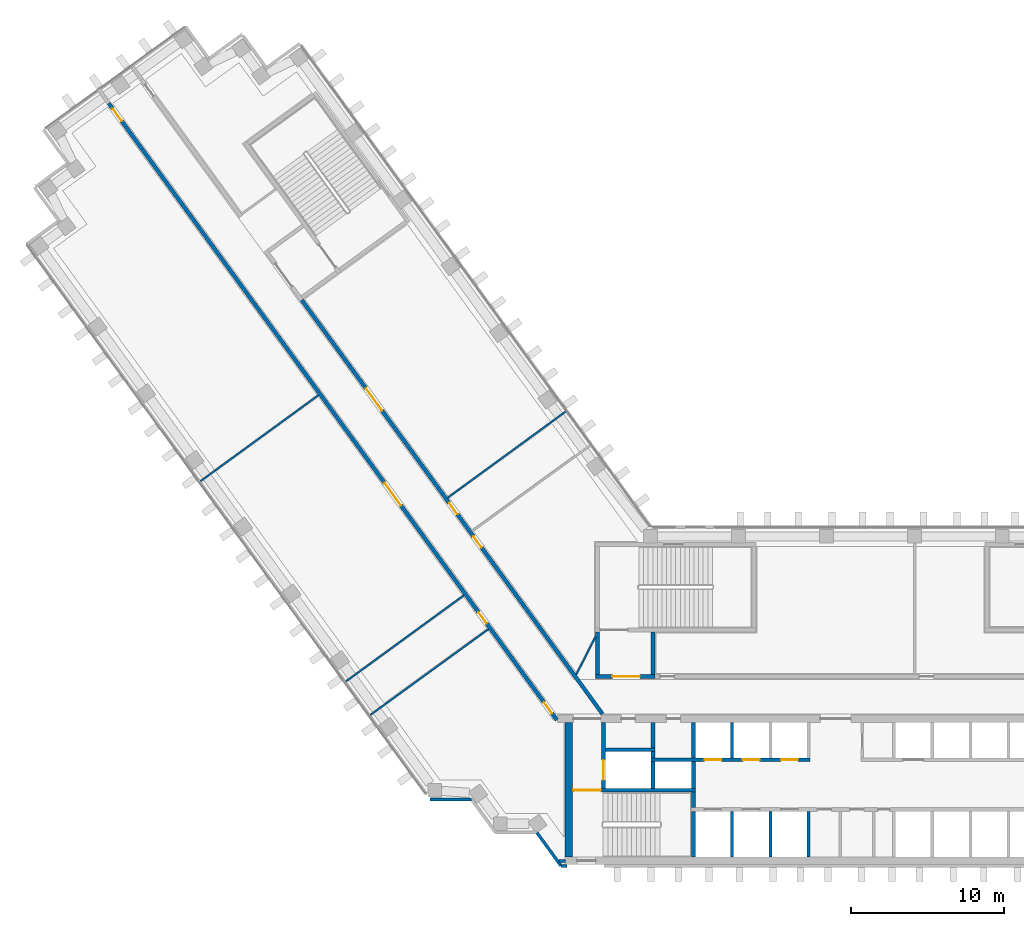
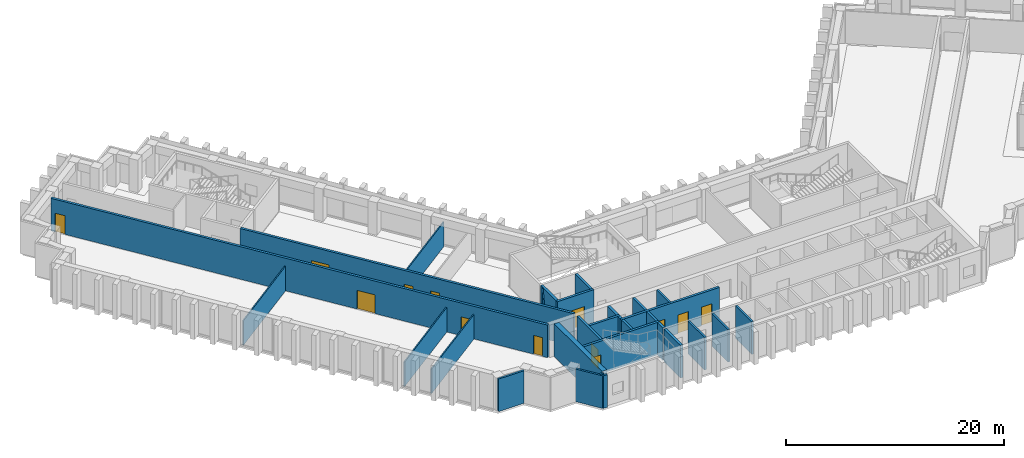
# One storey, part 6 of 14: 30 walls, 13 doors, 13 openings.
"""IFC4 building model written with IfcOpenShell, lengths in metres."""

from ifc_helpers import new_model, si_unit, direction, frame, frame_2d, origin, place, context, subcontext, project, spatial, rectangle, extrude, material, layer, layer_set, type_object, element, fill, save


model = new_model("IFC4")

# Units and contexts
model_context = context("Model", 3, precision=1e-05, world=origin(), true_north=direction((0.0, 1.0)))
body_context = subcontext(model_context, "Body", "Model", "MODEL_VIEW")
ifc_project = project(units=[si_unit("LENGTHUNIT", "METRE"), si_unit("AREAUNIT", "SQUARE_METRE"), si_unit("VOLUMEUNIT", "CUBIC_METRE"), si_unit("PLANEANGLEUNIT", "RADIAN"), si_unit("MASSUNIT", "GRAM", prefix="KILO")], contexts=[model_context])

# Site, building, storey
site_placement = place(None, origin())
site = spatial("IfcSite", under=ifc_project, at=site_placement, CompositionType="ELEMENT")
building_placement = place(site_placement, origin())
building = spatial("IfcBuilding", under=site, at=building_placement, Name="Quipu Civic Tower", CompositionType="ELEMENT")
storey_placement = place(building_placement, frame((0.0, 0.0, 93.0)))
storey = spatial("IfcBuildingStorey", under=building, at=storey_placement, Name="L21", CompositionType="ELEMENT", Elevation=93.0)

# Walls
ifc_material_1 = material(Name="Concrete C70/85", Category="concrete")
ifc_layer_1 = layer(ifc_material_1, 0.25)
ifc_layer_set_1 = layer_set([ifc_layer_1], Name="Concrete C70/85")
wall_type_1 = type_object("IfcWallType", Name="Core wall 250", PredefinedType="SHEAR", material=ifc_layer_set_1)
wall_1_placement = place(storey_placement, frame((-11.574951171875, -10.5, 0.0), z_axis=(0.0, 0.0, 1.0), x_axis=(0.0, 1.0, 0.0)))
element("IfcWall", 1, at=wall_1_placement, inside=storey, type_object=wall_type_1, Name="Core wall", PredefinedType="SHEAR", context=body_context, shape_type="SweptSolid", body=[
    extrude(rectangle(XDim=3.0, YDim=0.25, at=frame_2d((1.5, 0.0))), origin(), (0.0, 0.0, 1.0), 3.64990234375),
])
wall_2_placement = place(storey_placement, frame((-11.574951171875, -7.25, 0.0), z_axis=(0.0, 0.0, 1.0), x_axis=(0.0, 1.0, 0.0)))
element("IfcWall", 2, at=wall_2_placement, inside=storey, type_object=wall_type_1, Name="Core wall", PredefinedType="SHEAR", context=body_context, shape_type="SweptSolid", body=[
    extrude(rectangle(XDim=1.0, YDim=0.25, at=frame_2d((0.5, 0.0))), origin(), (0.0, 0.0, 1.0), 3.64990234375),
])

# Wall, opening, door
wall_3_placement = place(storey_placement, frame((-11.449951171875, -6.125, 0.0), z_axis=(0.0, 0.0, 1.0), x_axis=(-1.0, 0.0, 0.0)))
wall_3 = element("IfcWall", 3, at=wall_3_placement, inside=storey, type_object=wall_type_1, Name="Core wall", PredefinedType="SHEAR", context=body_context, shape_type="SweptSolid", body=[
    extrude(rectangle(XDim=8.050048828125, YDim=0.25, at=frame_2d((4.02490234375, 0.0))), origin(), (0.0, 0.0, 1.0), 3.64990234375),
])
opening_1_placement = place(wall_3_placement, frame((6.199951171875, 0.0, 0.0)))
opening_1 = element("IfcOpeningElement", 4, at=opening_1_placement, cuts=wall_3, Name="Opening CD-04", PredefinedType="OPENING", context=body_context, shape_type="SweptSolid", body=[
    extrude(rectangle(XDim=1.800048828125, YDim=2.10009765625, at=frame_2d((0.89990234375, 1.050048828125))), frame((0.0, 0.135009765625, 0.0), z_axis=(0.0, -1.0, 0.0), x_axis=(1.0, 0.0, 0.0)), (0.0, 0.0, 1.0), 0.27001953125),
])
ifc_material_2 = material(Name="Fire rated steel door", Category="steel")
door_type_1 = type_object("IfcDoorType", Name="Fire door FD90 double 1800 x 2100", OperationType="NOTDEFINED", PredefinedType="DOOR", material=ifc_material_2)
door_1_placement = place(opening_1_placement, origin())
door_1 = element("IfcDoor", 5, at=door_1_placement, inside=storey, type_object=door_type_1, Name="Door", OperationType="DOUBLE_DOOR_SINGLE_SWING", OverallHeight=2.10009765625, OverallWidth=1.800048828125, PredefinedType="DOOR", context=body_context, shape_type="SweptSolid", body=[
    extrude(rectangle(XDim=1.800048828125, YDim=2.10009765625, at=frame_2d((0.89990234375, 1.050048828125))), frame((0.0, 0.02490234375, 0.0), z_axis=(0.0, -1.0, 0.0), x_axis=(1.0, 0.0, 0.0)), (0.0, 0.0, 1.0), 0.050048828125),
])
fill(opening_1, door_1)

wall_4_placement = place(storey_placement, frame((-17.47509765625, -6.0, 0.0), z_axis=(0.0, 0.0, 1.0), x_axis=(0.0, 1.0, 0.0)))
wall_4 = element("IfcWall", 6, at=wall_4_placement, inside=storey, type_object=wall_type_1, Name="Core wall", PredefinedType="SHEAR", context=body_context, shape_type="SweptSolid", body=[
    extrude(rectangle(XDim=4.300048828125, YDim=0.25, at=frame_2d((2.14990234375, 0.0))), origin(), (0.0, 0.0, 1.0), 3.64990234375),
])
opening_2_placement = place(wall_4_placement, frame((0.550048828125, 0.0, 0.0)))
opening_2 = element("IfcOpeningElement", 7, at=opening_2_placement, cuts=wall_4, Name="Opening LD-FF1", PredefinedType="OPENING", context=body_context, shape_type="SweptSolid", body=[
    extrude(rectangle(XDim=1.300048828125, YDim=2.10009765625, at=frame_2d((0.64990234375, 1.050048828125))), frame((0.0, 0.135009765625, 0.0), z_axis=(0.0, -1.0, 0.0), x_axis=(1.0, 0.0, 0.0)), (0.0, 0.0, 1.0), 0.27001953125),
])
ifc_material_3 = material(Name="Stainless steel", Category="steel")
door_type_2 = type_object("IfcDoorType", Name="Lift landing door 1300 x 2100", OperationType="DOUBLE_DOOR_SLIDING", PredefinedType="DOOR", material=ifc_material_3)
door_2_placement = place(opening_2_placement, origin())
door_2 = element("IfcDoor", 8, at=door_2_placement, inside=storey, type_object=door_type_2, Name="Landing door FF1", OperationType="DOUBLE_DOOR_SLIDING", OverallHeight=2.10009765625, OverallWidth=1.300048828125, PredefinedType="DOOR", context=body_context, shape_type="SweptSolid", body=[
    extrude(rectangle(XDim=1.300048828125, YDim=2.10009765625, at=frame_2d((0.64990234375, 1.050048828125))), frame((0.0, 0.02490234375, 0.0), z_axis=(0.0, -1.0, 0.0), x_axis=(1.0, 0.0, 0.0)), (0.0, 0.0, 1.0), 0.050048828125),
])
fill(opening_2, door_2)

# Walls
for number, where, z_axis, x_axis, name in (
    (9, (-14.22509765625, -6.0, 0.0), (0.0, 0.0, 1.0), (0.0, 1.0, 0.0), "Core wall"),
    (10, (-11.574951171875, -6.0, 0.0), (0.0, 0.0, 1.0), (0.0, 1.0, 0.0), "Core wall"),
):
    element("IfcWall", number, at=place(storey_placement, frame(where, z_axis=z_axis, x_axis=x_axis)), inside=storey, type_object=wall_type_1, Name=name, PredefinedType="SHEAR", context=body_context, shape_type="SweptSolid", body=[
        extrude(rectangle(XDim=1.75, YDim=0.25, at=frame_2d((0.875, 0.0))), origin(), (0.0, 0.0, 1.0), 3.64990234375),
    ])

# Wall, openings, doors
wall_5_placement = place(storey_placement, frame((-14.35009765625, -4.125, 0.0), z_axis=(0.0, 0.0, 1.0), x_axis=(1.0, 0.0, 0.0)))
wall_5 = element("IfcWall", 11, at=wall_5_placement, inside=storey, type_object=wall_type_1, Name="Core wall", PredefinedType="SHEAR", context=body_context, shape_type="SweptSolid", body=[
    extrude(rectangle(XDim=10.400146484375, YDim=0.25, at=frame_2d((5.2001953125, 0.0))), origin(), (0.0, 0.0, 1.0), 3.64990234375),
])
opening_3_placement = place(wall_5_placement, frame((3.5, 0.0, 0.0)))
opening_3 = element("IfcOpeningElement", 12, at=opening_3_placement, cuts=wall_5, Name="Opening LD-LL4", PredefinedType="OPENING", context=body_context, shape_type="SweptSolid", body=[
    extrude(rectangle(XDim=1.10009765625, YDim=2.10009765625, at=frame_2d((0.550048828125, 1.050048828125))), frame((0.0, 0.135009765625, 0.0), z_axis=(0.0, -1.0, 0.0), x_axis=(1.0, 0.0, 0.0)), (0.0, 0.0, 1.0), 0.27001953125),
])
opening_4_placement = place(wall_5_placement, frame((6.0, 0.0, 0.0)))
opening_4 = element("IfcOpeningElement", 13, at=opening_4_placement, cuts=wall_5, Name="Opening LD-LL5", PredefinedType="OPENING", context=body_context, shape_type="SweptSolid", body=[
    extrude(rectangle(XDim=1.10009765625, YDim=2.10009765625, at=frame_2d((0.550048828125, 1.050048828125))), frame((0.0, 0.135009765625, 0.0), z_axis=(0.0, -1.0, 0.0), x_axis=(1.0, 0.0, 0.0)), (0.0, 0.0, 1.0), 0.27001953125),
])
opening_5_placement = place(wall_5_placement, frame((8.5, 0.0, 0.0)))
opening_5 = element("IfcOpeningElement", 14, at=opening_5_placement, cuts=wall_5, Name="Opening LD-LL6", PredefinedType="OPENING", context=body_context, shape_type="SweptSolid", body=[
    extrude(rectangle(XDim=1.10009765625, YDim=2.10009765625, at=frame_2d((0.550048828125, 1.050048828125))), frame((0.0, 0.135009765625, 0.0), z_axis=(0.0, -1.0, 0.0), x_axis=(1.0, 0.0, 0.0)), (0.0, 0.0, 1.0), 0.27001953125),
])
ifc_material_4 = material(Name="Stainless steel", Category="steel")
door_type_3 = type_object("IfcDoorType", Name="Lift landing door 1100 x 2100", OperationType="DOUBLE_DOOR_SLIDING", PredefinedType="DOOR", material=ifc_material_4)
door_3_placement = place(opening_3_placement, origin())
door_3 = element("IfcDoor", 15, at=door_3_placement, inside=storey, type_object=door_type_3, Name="Landing door LL4", OperationType="DOUBLE_DOOR_SLIDING", OverallHeight=2.10009765625, OverallWidth=1.10009765625, PredefinedType="DOOR", context=body_context, shape_type="SweptSolid", body=[
    extrude(rectangle(XDim=1.10009765625, YDim=2.10009765625, at=frame_2d((0.550048828125, 1.050048828125))), frame((0.0, 0.02490234375, 0.0), z_axis=(0.0, -1.0, 0.0), x_axis=(1.0, 0.0, 0.0)), (0.0, 0.0, 1.0), 0.050048828125),
])
fill(opening_3, door_3)
door_4_placement = place(opening_4_placement, origin())
door_4 = element("IfcDoor", 16, at=door_4_placement, inside=storey, type_object=door_type_3, Name="Landing door LL5", OperationType="DOUBLE_DOOR_SLIDING", OverallHeight=2.10009765625, OverallWidth=1.10009765625, PredefinedType="DOOR", context=body_context, shape_type="SweptSolid", body=[
    extrude(rectangle(XDim=1.10009765625, YDim=2.10009765625, at=frame_2d((0.550048828125, 1.050048828125))), frame((0.0, 0.02490234375, 0.0), z_axis=(0.0, -1.0, 0.0), x_axis=(1.0, 0.0, 0.0)), (0.0, 0.0, 1.0), 0.050048828125),
])
fill(opening_4, door_4)
door_5_placement = place(opening_5_placement, origin())
door_5 = element("IfcDoor", 17, at=door_5_placement, inside=storey, type_object=door_type_3, Name="Landing door LL6", OperationType="DOUBLE_DOOR_SLIDING", OverallHeight=2.10009765625, OverallWidth=1.10009765625, PredefinedType="DOOR", context=body_context, shape_type="SweptSolid", body=[
    extrude(rectangle(XDim=1.10009765625, YDim=2.10009765625, at=frame_2d((0.550048828125, 1.050048828125))), frame((0.0, 0.02490234375, 0.0), z_axis=(0.0, -1.0, 0.0), x_axis=(1.0, 0.0, 0.0)), (0.0, 0.0, 1.0), 0.050048828125),
])
fill(opening_5, door_5)

# Walls
wall_6_placement = place(storey_placement, frame((-14.22509765625, -4.0, 0.0), z_axis=(0.0, 0.0, 1.0), x_axis=(0.0, 1.0, 0.0)))
element("IfcWall", 18, at=wall_6_placement, inside=storey, type_object=wall_type_1, Name="Core wall", PredefinedType="SHEAR", context=body_context, shape_type="SweptSolid", body=[
    extrude(rectangle(XDim=0.39990234375, YDim=0.25, at=frame_2d((0.199951171875, 0.0))), origin(), (0.0, 0.0, 1.0), 3.64990234375),
])
wall_7_placement = place(storey_placement, frame((-11.574951171875, -4.0, 0.0), z_axis=(0.0, 0.0, 1.0), x_axis=(0.0, 1.0, 0.0)))
element("IfcWall", 19, at=wall_7_placement, inside=storey, type_object=wall_type_1, Name="Core wall", PredefinedType="SHEAR", context=body_context, shape_type="SweptSolid", body=[
    extrude(rectangle(XDim=2.300048828125, YDim=0.25, at=frame_2d((1.14990234375, 0.0))), origin(), (0.0, 0.0, 1.0), 3.64990234375),
])
wall_8_placement = place(storey_placement, frame((-17.35009765625, -3.47509765625, 0.0), z_axis=(0.0, 0.0, 1.0), x_axis=(1.0, 0.0, 0.0)))
element("IfcWall", 20, at=wall_8_placement, inside=storey, type_object=wall_type_1, Name="Core wall", PredefinedType="SHEAR", context=body_context, shape_type="SweptSolid", body=[
    extrude(rectangle(XDim=3.25, YDim=0.25, at=frame_2d((1.625, 0.0))), origin(), (0.0, 0.0, 1.0), 3.64990234375),
])
wall_9_placement = place(storey_placement, frame((-14.22509765625, -3.35009765625, 0.0), z_axis=(0.0, 0.0, 1.0), x_axis=(0.0, 1.0, 0.0)))
element("IfcWall", 21, at=wall_9_placement, inside=storey, type_object=wall_type_1, Name="Core wall", PredefinedType="SHEAR", context=body_context, shape_type="SweptSolid", body=[
    extrude(rectangle(XDim=1.650146484375, YDim=0.25, at=frame_2d((0.8251953125, 0.0))), origin(), (0.0, 0.0, 1.0), 3.64990234375),
])

# Wall, opening, door
wall_10_placement = place(storey_placement, frame((-18.0, 1.324951171875, 0.0), z_axis=(0.0, 0.0, 1.0), x_axis=(1.0, 0.0, 0.0)))
wall_10 = element("IfcWall", 22, at=wall_10_placement, inside=storey, type_object=wall_type_1, Name="Core wall", PredefinedType="SHEAR", context=body_context, shape_type="SweptSolid", body=[
    extrude(rectangle(XDim=3.89990234375, YDim=0.25, at=frame_2d((1.949951171875, 0.0))), origin(), (0.0, 0.0, 1.0), 3.64990234375),
])
opening_6_placement = place(wall_10_placement, frame((1.10009765625, 0.0, 0.0)))
opening_6 = element("IfcOpeningElement", 23, at=opening_6_placement, cuts=wall_10, Name="Opening CD-15", PredefinedType="OPENING", context=body_context, shape_type="SweptSolid", body=[
    extrude(rectangle(XDim=1.800048828125, YDim=2.10009765625, at=frame_2d((0.89990234375, 1.050048828125))), frame((0.0, 0.135009765625, 0.0), z_axis=(0.0, -1.0, 0.0), x_axis=(1.0, 0.0, 0.0)), (0.0, 0.0, 1.0), 0.27001953125),
])
door_6_placement = place(opening_6_placement, origin())
door_6 = element("IfcDoor", 24, at=door_6_placement, inside=storey, type_object=door_type_1, Name="Lobby door", OperationType="DOUBLE_DOOR_SINGLE_SWING", OverallHeight=2.10009765625, OverallWidth=1.800048828125, PredefinedType="DOOR", context=body_context, shape_type="SweptSolid", body=[
    extrude(rectangle(XDim=1.800048828125, YDim=2.10009765625, at=frame_2d((0.89990234375, 1.050048828125))), frame((0.0, 0.02490234375, 0.0), z_axis=(0.0, -1.0, 0.0), x_axis=(1.0, 0.0, 0.0)), (0.0, 0.0, 1.0), 0.050048828125),
])
fill(opening_6, door_6)

# Walls
for number, where, z_axis, x_axis, name in (
    (25, (-17.875, 1.449951171875, 0.0), (0.0, 0.0, 1.0), (0.0, 1.0, 0.0), "Core wall"),
    (26, (-14.22509765625, 1.449951171875, 0.0), (0.0, 0.0, 1.0), (0.0, 1.0, 0.0), "Core wall"),
):
    element("IfcWall", number, at=place(storey_placement, frame(where, z_axis=z_axis, x_axis=x_axis)), inside=storey, type_object=wall_type_1, Name=name, PredefinedType="SHEAR", context=body_context, shape_type="SweptSolid", body=[
        extrude(rectangle(XDim=2.800048828125, YDim=0.25, at=frame_2d((1.39990234375, 0.0))), origin(), (0.0, 0.0, 1.0), 3.64990234375),
    ])
ifc_material_5 = material(Name="Concrete C70/85", Category="concrete")
ifc_layer_2 = layer(ifc_material_5, 0.5)
ifc_layer_set_2 = layer_set([ifc_layer_2], Name="Concrete C70/85")
wall_type_2 = type_object("IfcWallType", Name="Core wall 500", PredefinedType="SHEAR", material=ifc_layer_set_2)
wall_11_placement = place(storey_placement, frame((-19.75, -10.5, 0.0), z_axis=(0.0, 0.0, 1.0), x_axis=(0.0, 1.0, 0.0)))
element("IfcWall", 27, at=wall_11_placement, inside=storey, type_object=wall_type_2, Name="Core wall", PredefinedType="SHEAR", context=body_context, shape_type="SweptSolid", body=[
    extrude(rectangle(XDim=8.800048828125, YDim=0.5, at=frame_2d((4.39990234375, 0.0))), origin(), (0.0, 0.0, 1.0), 3.64990234375),
])

# Wall, openings, doors
ifc_material_6 = material(Name="Concrete C50/60", Category="concrete")
ifc_layer_3 = layer(ifc_material_6, 0.25)
ifc_layer_set_3 = layer_set([ifc_layer_3], Name="Concrete C50/60")
wall_type_3 = type_object("IfcWallType", Name="Corridor wall 250 concrete", PredefinedType="SOLIDWALL", material=ifc_layer_set_3)
wall_12_placement = place(storey_placement, frame((-20.531005859375, -1.5234375, 0.0), z_axis=(0.0, 0.0, 1.0), x_axis=(-0.587784522481, 0.809017524614, 0.0)))
wall_12 = element("IfcWall", 28, at=wall_12_placement, inside=storey, type_object=wall_type_3, Name="Corridor wall C01", PredefinedType="SOLIDWALL", context=body_context, shape_type="SweptSolid", body=[
    extrude(rectangle(XDim=49.912353515625, YDim=0.25, at=frame_2d((24.9560546875, 0.0))), origin(), (0.0, 0.0, 1.0), 3.64990234375),
])
opening_7_placement = place(wall_12_placement, frame((0.53271484375, 0.0, 0.0)))
opening_7 = element("IfcOpeningElement", 29, at=opening_7_placement, cuts=wall_12, Name="Opening D015", PredefinedType="OPENING", context=body_context, shape_type="SweptSolid", body=[
    extrude(rectangle(XDim=0.89990234375, YDim=2.10009765625, at=frame_2d((0.449951171875, 1.050048828125))), frame((0.0, 0.135009765625, 0.0), z_axis=(0.0, -1.0, 0.0), x_axis=(1.0, 0.0, 0.0)), (0.0, 0.0, 1.0), 0.27001953125),
])
opening_8_placement = place(wall_12_placement, frame((48.470458984375, 0.0, 0.0)))
opening_8 = element("IfcOpeningElement", 30, at=opening_8_placement, cuts=wall_12, Name="Opening D012", PredefinedType="OPENING", context=body_context, shape_type="SweptSolid", body=[
    extrude(rectangle(XDim=1.0, YDim=2.10009765625, at=frame_2d((0.5, 1.050048828125))), frame((0.0, 0.135009765625, 0.0), z_axis=(0.0, -1.0, 0.0), x_axis=(1.0, 0.0, 0.0)), (0.0, 0.0, 1.0), 0.27001953125),
])
opening_9_placement = place(wall_12_placement, frame((17.365234375, 0.0, 0.0)))
opening_9 = element("IfcOpeningElement", 31, at=opening_9_placement, cuts=wall_12, Name="Opening D013", PredefinedType="OPENING", context=body_context, shape_type="SweptSolid", body=[
    extrude(rectangle(XDim=1.800048828125, YDim=2.10009765625, at=frame_2d((0.89990234375, 1.050048828125))), frame((0.0, 0.135009765625, 0.0), z_axis=(0.0, -1.0, 0.0), x_axis=(1.0, 0.0, 0.0)), (0.0, 0.0, 1.0), 0.27001953125),
])
opening_10_placement = place(wall_12_placement, frame((7.81591796875, 0.0, 0.0)))
opening_10 = element("IfcOpeningElement", 32, at=opening_10_placement, cuts=wall_12, Name="Opening D014", PredefinedType="OPENING", context=body_context, shape_type="SweptSolid", body=[
    extrude(rectangle(XDim=0.89990234375, YDim=2.10009765625, at=frame_2d((0.449951171875, 1.050048828125))), frame((0.0, 0.135009765625, 0.0), z_axis=(0.0, -1.0, 0.0), x_axis=(1.0, 0.0, 0.0)), (0.0, 0.0, 1.0), 0.27001953125),
])
ifc_material_7 = material(Name="Fire rated timber door set with metal frame", Category="wood")
door_type_4 = type_object("IfcDoorType", Name="Double door 1800 x 2100 FD60", OperationType="DOUBLE_DOOR_SINGLE_SWING", PredefinedType="DOOR", material=ifc_material_7)
door_7_placement = place(opening_9_placement, origin())
door_7 = element("IfcDoor", 33, at=door_7_placement, inside=storey, type_object=door_type_4, Name="Door D013", OperationType="DOUBLE_DOOR_SINGLE_SWING", OverallHeight=2.10009765625, OverallWidth=1.800048828125, PredefinedType="DOOR", context=body_context, shape_type="SweptSolid", body=[
    extrude(rectangle(XDim=1.800048828125, YDim=2.10009765625, at=frame_2d((0.89990234375, 1.050048828125))), frame((0.0, 0.02490234375, 0.0), z_axis=(0.0, -1.0, 0.0), x_axis=(1.0, 0.0, 0.0)), (0.0, 0.0, 1.0), 0.050048828125),
])
fill(opening_9, door_7)
ifc_material_8 = material(Name="Fire rated timber door set with metal frame", Category="wood")
door_type_5 = type_object("IfcDoorType", Name="Single door 1000 x 2100 FD60", OperationType="NOTDEFINED", PredefinedType="DOOR", material=ifc_material_8)
door_8_placement = place(opening_8_placement, origin())
door_8 = element("IfcDoor", 34, at=door_8_placement, inside=storey, type_object=door_type_5, Name="Door D012", OperationType="SINGLE_SWING_RIGHT", OverallHeight=2.10009765625, OverallWidth=1.0, PredefinedType="DOOR", context=body_context, shape_type="SweptSolid", body=[
    extrude(rectangle(XDim=1.0, YDim=2.10009765625, at=frame_2d((0.5, 1.050048828125))), frame((0.0, 0.02490234375, 0.0), z_axis=(0.0, -1.0, 0.0), x_axis=(1.0, 0.0, 0.0)), (0.0, 0.0, 1.0), 0.050048828125),
])
fill(opening_8, door_8)
ifc_material_9 = material(Name="Fire rated timber door set with metal frame", Category="wood")
door_type_6 = type_object("IfcDoorType", Name="Single door 900 x 2100 FD60", OperationType="NOTDEFINED", PredefinedType="DOOR", material=ifc_material_9)
door_9_placement = place(opening_7_placement, origin())
door_9 = element("IfcDoor", 35, at=door_9_placement, inside=storey, type_object=door_type_6, Name="Door D015", OperationType="SINGLE_SWING_LEFT", OverallHeight=2.10009765625, OverallWidth=0.89990234375, PredefinedType="DOOR", context=body_context, shape_type="SweptSolid", body=[
    extrude(rectangle(XDim=0.89990234375, YDim=2.10009765625, at=frame_2d((0.449951171875, 1.050048828125))), frame((0.0, 0.02490234375, 0.0), z_axis=(0.0, -1.0, 0.0), x_axis=(1.0, 0.0, 0.0)), (0.0, 0.0, 1.0), 0.050048828125),
])
fill(opening_7, door_9)
door_10_placement = place(opening_10_placement, origin())
door_10 = element("IfcDoor", 36, at=door_10_placement, inside=storey, type_object=door_type_6, Name="Door D014", OperationType="SINGLE_SWING_LEFT", OverallHeight=2.10009765625, OverallWidth=0.89990234375, PredefinedType="DOOR", context=body_context, shape_type="SweptSolid", body=[
    extrude(rectangle(XDim=0.89990234375, YDim=2.10009765625, at=frame_2d((0.449951171875, 1.050048828125))), frame((0.0, 0.02490234375, 0.0), z_axis=(0.0, -1.0, 0.0), x_axis=(1.0, 0.0, 0.0)), (0.0, 0.0, 1.0), 0.050048828125),
])
fill(opening_10, door_10)

wall_13_placement = place(storey_placement, frame((-37.231689453125, 25.9716796875, 0.0), z_axis=(0.0, 0.0, 1.0), x_axis=(0.587786323093, -0.809016216391, 0.0)))
wall_13 = element("IfcWall", 37, at=wall_13_placement, inside=storey, type_object=wall_type_3, Name="Corridor wall C03", PredefinedType="SOLIDWALL", context=body_context, shape_type="SweptSolid", body=[
    extrude(rectangle(XDim=33.4931640625, YDim=0.25, at=frame_2d((16.74658203125, 0.0))), origin(), (0.0, 0.0, 1.0), 3.64990234375),
])
opening_11_placement = place(wall_13_placement, frame((19.13525390625, 0.0, 0.0)))
opening_11 = element("IfcOpeningElement", 38, at=opening_11_placement, cuts=wall_13, Name="Opening D011", PredefinedType="OPENING", context=body_context, shape_type="SweptSolid", body=[
    extrude(rectangle(XDim=0.89990234375, YDim=2.10009765625, at=frame_2d((0.449951171875, 1.050048828125))), frame((0.0, 0.135009765625, 0.0), z_axis=(0.0, -1.0, 0.0), x_axis=(1.0, 0.0, 0.0)), (0.0, 0.0, 1.0), 0.27001953125),
])
opening_12_placement = place(wall_13_placement, frame((7.13720703125, 0.0, 0.0)))
opening_12 = element("IfcOpeningElement", 39, at=opening_12_placement, cuts=wall_13, Name="Opening D009", PredefinedType="OPENING", context=body_context, shape_type="SweptSolid", body=[
    extrude(rectangle(XDim=1.800048828125, YDim=2.10009765625, at=frame_2d((0.89990234375, 1.050048828125))), frame((0.0, 0.135009765625, 0.0), z_axis=(0.0, -1.0, 0.0), x_axis=(1.0, 0.0, 0.0)), (0.0, 0.0, 1.0), 0.27001953125),
])
opening_13_placement = place(wall_13_placement, frame((16.434814453125, 0.0, 0.0)))
opening_13 = element("IfcOpeningElement", 40, at=opening_13_placement, cuts=wall_13, Name="Opening D010", PredefinedType="OPENING", context=body_context, shape_type="SweptSolid", body=[
    extrude(rectangle(XDim=0.89990234375, YDim=2.10009765625, at=frame_2d((0.449951171875, 1.050048828125))), frame((0.0, 0.135009765625, 0.0), z_axis=(0.0, -1.0, 0.0), x_axis=(1.0, 0.0, 0.0)), (0.0, 0.0, 1.0), 0.27001953125),
])
door_11_placement = place(opening_12_placement, origin())
door_11 = element("IfcDoor", 41, at=door_11_placement, inside=storey, type_object=door_type_4, Name="Door D009", OperationType="DOUBLE_DOOR_SINGLE_SWING", OverallHeight=2.10009765625, OverallWidth=1.800048828125, PredefinedType="DOOR", context=body_context, shape_type="SweptSolid", body=[
    extrude(rectangle(XDim=1.800048828125, YDim=2.10009765625, at=frame_2d((0.89990234375, 1.050048828125))), frame((0.0, 0.02490234375, 0.0), z_axis=(0.0, -1.0, 0.0), x_axis=(1.0, 0.0, 0.0)), (0.0, 0.0, 1.0), 0.050048828125),
])
fill(opening_12, door_11)
door_12_placement = place(opening_11_placement, origin())
door_12 = element("IfcDoor", 42, at=door_12_placement, inside=storey, type_object=door_type_6, Name="Door D011", OperationType="SINGLE_SWING_LEFT", OverallHeight=2.10009765625, OverallWidth=0.89990234375, PredefinedType="DOOR", context=body_context, shape_type="SweptSolid", body=[
    extrude(rectangle(XDim=0.89990234375, YDim=2.10009765625, at=frame_2d((0.449951171875, 1.050048828125))), frame((0.0, 0.02490234375, 0.0), z_axis=(0.0, -1.0, 0.0), x_axis=(1.0, 0.0, 0.0)), (0.0, 0.0, 1.0), 0.050048828125),
])
fill(opening_11, door_12)
door_13_placement = place(opening_13_placement, origin())
door_13 = element("IfcDoor", 43, at=door_13_placement, inside=storey, type_object=door_type_6, Name="Door D010", OperationType="SINGLE_SWING_LEFT", OverallHeight=2.10009765625, OverallWidth=0.89990234375, PredefinedType="DOOR", context=body_context, shape_type="SweptSolid", body=[
    extrude(rectangle(XDim=0.89990234375, YDim=2.10009765625, at=frame_2d((0.449951171875, 1.050048828125))), frame((0.0, 0.02490234375, 0.0), z_axis=(0.0, -1.0, 0.0), x_axis=(1.0, 0.0, 0.0)), (0.0, 0.0, 1.0), 0.050048828125),
])
fill(opening_13, door_13)

# Walls
ifc_material_10 = material(Name="Gypsum plasterboard on light gauge framing")
ifc_layer_4 = layer(ifc_material_10, 0.1201171875)
ifc_layer_set_4 = layer_set([ifc_layer_4], Name="Gypsum plasterboard on light gauge framing")
wall_type_4 = type_object("IfcWallType", Name="Partition 120 plasterboard", PredefinedType="PARTITIONING", material=ifc_layer_set_4)
for number, where, z_axis, x_axis, name in (
    (44, (-25.00830078125, 4.4267578125, 0.0), (0.0, 0.0, 1.0), (-0.808994684961, -0.587815957341, 0.0), "Partition P03"),
    (45, (-43.8544921875, 14.118408203125, 0.0), (0.0, 0.0, 1.0), (0.807691251741, 0.589605666408, 0.0), "Partition P05"),
):
    element("IfcWall", number, at=place(storey_placement, frame(where, z_axis=z_axis, x_axis=x_axis)), inside=storey, type_object=wall_type_4, Name=name, PredefinedType="PARTITIONING", context=body_context, shape_type="SweptSolid", body=[
        extrude(rectangle(XDim=9.55029296875, YDim=0.1201171875, at=frame_2d((4.775146484375, 0.0))), origin(), (0.0, 0.0, 1.0), 2.75),
    ])
for number, where, z_axis, x_axis, name in (
    (46, (-27.676025390625, 13.031982421875, 0.0), (0.0, 0.0, 1.0), (0.807606997933, 0.589721067023, 0.0), "Partition P07"),
    (47, (-34.33154296875, 1.01123046875, 0.0), (0.0, 0.0, 1.0), (0.807594822539, 0.589737740532, 0.0), "Partition P08"),
):
    element("IfcWall", number, at=place(storey_placement, frame(where, z_axis=z_axis, x_axis=x_axis)), inside=storey, type_object=wall_type_4, Name=name, PredefinedType="PARTITIONING", context=body_context, shape_type="SweptSolid", body=[
        extrude(rectangle(XDim=9.550048828125, YDim=0.1201171875, at=frame_2d((4.77490234375, 0.0))), origin(), (0.0, 0.0, 1.0), 2.75),
    ])
wall_14_placement = place(storey_placement, frame((-19.260986328125, 1.449951171875, 0.0), z_axis=(0.0, 0.0, 1.0), x_axis=(0.453950796792, 0.891026752736, 0.0)))
element("IfcWall", 48, at=wall_14_placement, inside=storey, type_object=wall_type_4, Name="Partition P10", PredefinedType="PARTITIONING", context=body_context, shape_type="SweptSolid", body=[
    extrude(rectangle(XDim=2.77783203125, YDim=0.1201171875, at=frame_2d((1.388916015625, 0.0))), origin(), (0.0, 0.0, 1.0), 3.64990234375),
])
ifc_material_11 = material(Name="Precast concrete C40/50", Category="concrete")
wall_type_5 = type_object("IfcWallType", Name="Precast cladding wall", PredefinedType="SOLIDWALL", material=ifc_material_11)
wall_15_placement = place(storey_placement, frame((-28.829833984375, -6.71923828125, 0.0), z_axis=(0.0, 0.0, 1.0), x_axis=(1.0, 0.0, 0.0)))
element("IfcWall", 49, at=wall_15_placement, inside=storey, type_object=wall_type_5, Name="Precast cladding wall L21 P24", PredefinedType="SOLIDWALL", context=body_context, shape_type="SweptSolid", body=[
    extrude(rectangle(XDim=2.699951171875, YDim=0.199951171875, at=frame_2d((1.35009765625, 0.0))), origin(), (0.0, 0.0, 1.0), 3.64990234375),
])
wall_16_placement = place(storey_placement, frame((-21.8330078125, -8.90869140625, 0.0), z_axis=(0.0, 0.0, 1.0), x_axis=(0.587766567315, -0.809030569476, 0.0)))
element("IfcWall", 50, at=wall_16_placement, inside=storey, type_object=wall_type_5, Name="Precast cladding wall L21 P27", PredefinedType="SOLIDWALL", context=body_context, shape_type="SweptSolid", body=[
    extrude(rectangle(XDim=2.687744140625, YDim=0.199951171875, at=frame_2d((1.34375, 0.0))), origin(), (0.0, 0.0, 1.0), 3.64990234375),
])
wall_17_placement = place(storey_placement, frame((-20.255859375, -11.087890625, 0.0), z_axis=(0.0, 0.0, 1.0), x_axis=(1.0, 0.0, 0.0)))
element("IfcWall", 51, at=wall_17_placement, inside=storey, type_object=wall_type_5, Name="Precast cladding wall L21 P28", PredefinedType="SOLIDWALL", context=body_context, shape_type="SweptSolid", body=[
    extrude(rectangle(XDim=0.40576171875, YDim=0.199951171875, at=frame_2d((0.202880859375, 0.0))), origin(), (0.0, 0.0, 1.0), 3.64990234375),
])
wall_18_placement = place(storey_placement, frame((-19.97998046875, -10.75, 0.0), z_axis=(0.0, 0.0, 1.0), x_axis=(-1.0, 0.0, 0.0)))
element("IfcWall", 52, at=wall_18_placement, inside=storey, type_object=wall_type_5, Name="Precast cladding return L21 W", PredefinedType="SOLIDWALL", context=body_context, shape_type="SweptSolid", body=[
    extrude(rectangle(XDim=0.41650390625, YDim=0.199951171875, at=frame_2d((0.208251953125, 0.0))), origin(), (0.0, 0.0, 1.0), 3.64990234375),
])
ifc_material_12 = material(Name="Concrete C40/50", Category="concrete")
ifc_layer_5 = layer(ifc_material_12, 0.199951171875)
ifc_layer_set_5 = layer_set([ifc_layer_5], Name="Concrete C40/50")
wall_type_6 = type_object("IfcWallType", Name="Shaft wall 200", PredefinedType="SOLIDWALL", material=ifc_layer_set_5)
for number, where, z_axis, x_axis, name in (
    (53, (-9.050048828125, -10.5, 0.0), (0.0, 0.0, 1.0), (0.0, 1.0, 0.0), "Shaft wall"),
    (54, (-6.550048828125, -10.5, 0.0), (0.0, 0.0, 1.0), (0.0, 1.0, 0.0), "Shaft wall"),
    (55, (-4.050048828125, -10.5, 0.0), (0.0, 0.0, 1.0), (0.0, 1.0, 0.0), "Shaft wall"),
):
    element("IfcWall", number, at=place(storey_placement, frame(where, z_axis=z_axis, x_axis=x_axis)), inside=storey, type_object=wall_type_6, Name=name, PredefinedType="SOLIDWALL", context=body_context, shape_type="SweptSolid", body=[
        extrude(rectangle(XDim=3.0, YDim=0.199951171875, at=frame_2d((1.5, 0.0))), origin(), (0.0, 0.0, 1.0), 3.64990234375),
    ])
wall_19_placement = place(storey_placement, frame((-9.050048828125, -4.0, 0.0), z_axis=(0.0, 0.0, 1.0), x_axis=(0.0, 1.0, 0.0)))
element("IfcWall", 56, at=wall_19_placement, inside=storey, type_object=wall_type_6, Name="Shaft wall", PredefinedType="SOLIDWALL", context=body_context, shape_type="SweptSolid", body=[
    extrude(rectangle(XDim=2.300048828125, YDim=0.199951171875, at=frame_2d((1.14990234375, 0.0))), origin(), (0.0, 0.0, 1.0), 3.64990234375),
])

save(model, "model.ifc")
